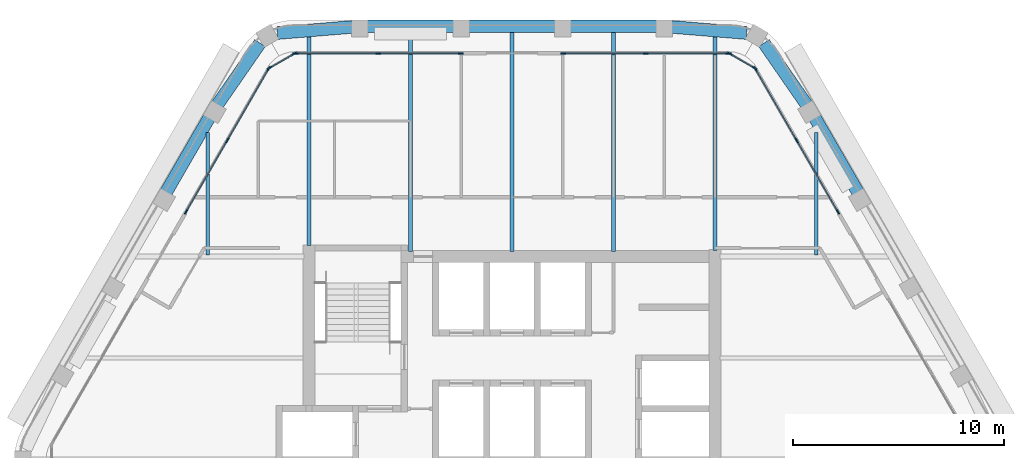
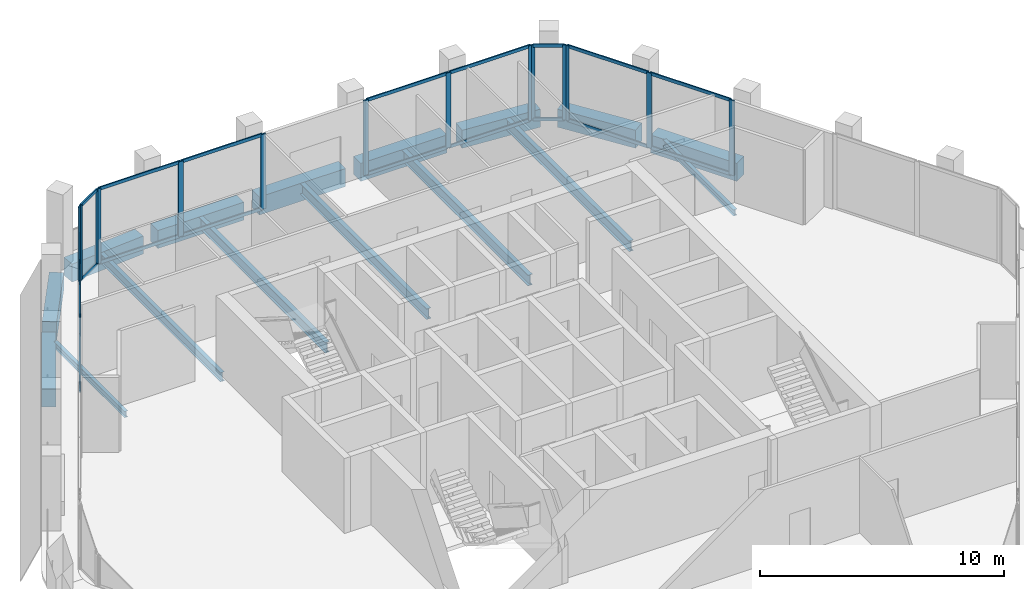
# One storey, part 5 of 13: 36 members, 16 beams, 6 elements without a shape of their own.
"""IFC4 building model written with IfcOpenShell, lengths in metres."""

from ifc_helpers import new_model, si_unit, direction, frame, origin, origin_2d, place, context, subcontext, project, spatial, rectangle, i_section, extrude, material, material_profile, profile_set, type_object, element, aggregate, save


model = new_model("IFC4")

# Units and contexts
model_context = context("Model", 3, precision=1e-05, world=origin(), true_north=direction((0.0, 1.0)))
body_context = subcontext(model_context, "Body", "Model", "MODEL_VIEW")
ifc_project = project(units=[si_unit("LENGTHUNIT", "METRE"), si_unit("AREAUNIT", "SQUARE_METRE"), si_unit("VOLUMEUNIT", "CUBIC_METRE"), si_unit("PLANEANGLEUNIT", "RADIAN"), si_unit("MASSUNIT", "GRAM", prefix="KILO")], contexts=[model_context])

# Site, building, storey
site_placement = place(None, origin())
site = spatial("IfcSite", under=ifc_project, at=site_placement, CompositionType="ELEMENT")
building_placement = place(site_placement, origin())
building = spatial("IfcBuilding", under=site, at=building_placement, Name="Kolab Exchange Tower", CompositionType="ELEMENT")
storey_placement = place(building_placement, frame((0.0, 0.0, 226.699951171875)))
storey = spatial("IfcBuildingStorey", under=building, at=storey_placement, Name="L49", CompositionType="ELEMENT", Elevation=226.699951171875)

# Beams
ifc_material_1 = material(Name="Steel S355", Category="steel")
ifc_material_profile_1 = material_profile(ifc_material_1, i_section(OverallWidth=0.1650390625, OverallDepth=0.31005859375, WebThickness=0.005859375, FlangeThickness=0.009765625, at=origin_2d()), Name="W310X39")
ifc_profile_set_1 = profile_set([ifc_material_profile_1], Name="Steel S355")
beam_type_1 = type_object("IfcBeamType", Name="FLOOR BEAM W310X39", PredefinedType="BEAM", material=ifc_profile_set_1)
for number, where, z_axis, x_axis, name in (
    (1, (-14.39990234375, 9.674072265625, -0.304931640625), (0.0, 1.0, 0.0), (-1.0, 0.0, 0.0), "beam/L49/fr/004"),
    (2, (14.39990234375, 9.674072265625, -0.304931640625), (0.0, 1.0, 0.0), (-1.0, 0.0, 0.0), "beam/L49/fr/019"),
):
    element("IfcBeam", number, at=place(storey_placement, frame(where, z_axis=z_axis, x_axis=x_axis)), inside=storey, type_object=beam_type_1, Name=name, PredefinedType="BEAM", context=body_context, shape_type="SweptSolid", body=[
        extrude(i_section(OverallWidth=0.1650390625, OverallDepth=0.31005859375, WebThickness=0.005859375, FlangeThickness=0.009765625, at=origin_2d()), origin(), (0.0, 0.0, 1.0), 5.793701171875),
    ])
ifc_material_profile_2 = material_profile(ifc_material_1, i_section(OverallWidth=0.18994140625, OverallDepth=0.45703125, WebThickness=0.009033203125, FlangeThickness=0.014404296875, at=origin_2d()), Name="W460X74")
ifc_profile_set_2 = profile_set([ifc_material_profile_2], Name="Steel S355")
beam_type_2 = type_object("IfcBeamType", Name="FLOOR BEAM W460X74", PredefinedType="BEAM", material=ifc_profile_set_2)
beam_1_placement = place(storey_placement, frame((-9.60009765625, 10.110107421875, -0.37841796875), z_axis=(0.0, 1.0, 0.0), x_axis=(-1.0, 0.0, 0.0)))
element("IfcBeam", 3, at=beam_1_placement, inside=storey, type_object=beam_type_2, Name="beam/L49/fr/006", PredefinedType="BEAM", context=body_context, shape_type="SweptSolid", body=[
    extrude(i_section(OverallWidth=0.18994140625, OverallDepth=0.45703125, WebThickness=0.009033203125, FlangeThickness=0.014404296875, at=origin_2d()), origin(), (0.0, 0.0, 1.0), 9.9169921875),
])
ifc_material_profile_3 = material_profile(ifc_material_1, i_section(OverallWidth=0.208984375, OverallDepth=0.532958984375, WebThickness=0.01025390625, FlangeThickness=0.015625, at=origin_2d()), Name="W530X92")
ifc_profile_set_3 = profile_set([ifc_material_profile_3], Name="Steel S355")
beam_type_3 = type_object("IfcBeamType", Name="FLOOR BEAM W530X92", PredefinedType="BEAM", material=ifc_profile_set_3)
for number, where, z_axis, x_axis, name in (
    (4, (-4.800048828125, 9.8349609375, -0.41650390625), (0.0, 1.0, 0.0), (-1.0, 0.0, 0.0), "beam/L49/fr/008"),
    (5, (0.0, 9.8349609375, -0.41650390625), (0.0, 1.0, 0.0), (-1.0, 0.0, 0.0), "beam/L49/fr/010"),
    (6, (4.800048828125, 9.8349609375, -0.41650390625), (0.0, 1.0, 0.0), (-1.0, 0.0, 0.0), "beam/L49/fr/012"),
):
    element("IfcBeam", number, at=place(storey_placement, frame(where, z_axis=z_axis, x_axis=x_axis)), inside=storey, type_object=beam_type_3, Name=name, PredefinedType="BEAM", context=body_context, shape_type="SweptSolid", body=[
        extrude(i_section(OverallWidth=0.208984375, OverallDepth=0.532958984375, WebThickness=0.01025390625, FlangeThickness=0.015625, at=origin_2d()), origin(), (0.0, 0.0, 1.0), 10.3896484375),
    ])
beam_2_placement = place(storey_placement, frame((9.60009765625, 9.885009765625, -0.41650390625), z_axis=(0.0, 1.0, 0.0), x_axis=(-1.0, 0.0, 0.0)))
element("IfcBeam", 7, at=beam_2_placement, inside=storey, type_object=beam_type_3, Name="beam/L49/fr/014", PredefinedType="BEAM", context=body_context, shape_type="SweptSolid", body=[
    extrude(i_section(OverallWidth=0.208984375, OverallDepth=0.532958984375, WebThickness=0.01025390625, FlangeThickness=0.015625, at=origin_2d()), origin(), (0.0, 0.0, 1.0), 10.14208984375),
])
ifc_material_2 = material(Name="Concrete C50/60", Category="concrete")
ifc_material_profile_4 = material_profile(ifc_material_2, rectangle(XDim=0.60009765625, YDim=0.89990234375, at=origin_2d()), Name="RC600X900")
ifc_profile_set_4 = profile_set([ifc_material_profile_4], Name="Concrete C50/60")
beam_type_4 = type_object("IfcBeamType", Name="SPANDREL BEAM 600X900 C50/60", PredefinedType="BEAM", material=ifc_profile_set_4)
beam_3_placement = place(storey_placement, frame((-11.09716796875, 20.16552734375, -0.599853515625), z_axis=(0.996666146873, 0.081587938307, 0.0), x_axis=(-0.081587938307, 0.996666146873, 0.0)))
element("IfcBeam", 8, at=beam_3_placement, inside=storey, type_object=beam_type_4, Name="beam/L49/sp/F1-01", PredefinedType="BEAM", context=body_context, shape_type="SweptSolid", body=[
    extrude(rectangle(XDim=0.60009765625, YDim=0.89990234375, at=origin_2d()), origin(), (0.0, 0.0, 1.0), 3.548828125),
])
for number, where, z_axis, x_axis, name in (
    (9, (-6.840087890625, 20.484619140625, -0.599853515625), (1.0, 0.0, 0.0), (0.0, 1.0, 0.0), "beam/L49/sp/F1-02"),
    (10, (-2.0400390625, 20.484619140625, -0.599853515625), (1.0, 0.0, 0.0), (0.0, 1.0, 0.0), "beam/L49/sp/F1-03"),
    (11, (2.760009765625, 20.484619140625, -0.599853515625), (1.0, 0.0, 0.0), (0.0, 1.0, 0.0), "beam/L49/sp/F1-04"),
):
    element("IfcBeam", number, at=place(storey_placement, frame(where, z_axis=z_axis, x_axis=x_axis)), inside=storey, type_object=beam_type_4, Name=name, PredefinedType="BEAM", context=body_context, shape_type="SweptSolid", body=[
        extrude(rectangle(XDim=0.60009765625, YDim=0.89990234375, at=origin_2d()), origin(), (0.0, 0.0, 1.0), 4.080078125),
    ])
for number, where, z_axis, x_axis, name in (
    (12, (7.56005859375, 20.455078125, -0.599853515625), (0.996666146873, -0.081587938307, 0.0), (0.081587938307, 0.996666146873, 0.0), "beam/L49/sp/F1-05"),
    (13, (11.915283203125, 19.693115234375, -0.599853515625), (0.569016782231, -0.822325909564, 0.0), (0.822325909564, 0.569016782231, 0.0), "beam/L49/sp/F2-01"),
):
    element("IfcBeam", number, at=place(storey_placement, frame(where, z_axis=z_axis, x_axis=x_axis)), inside=storey, type_object=beam_type_4, Name=name, PredefinedType="BEAM", context=body_context, shape_type="SweptSolid", body=[
        extrude(rectangle(XDim=0.60009765625, YDim=0.89990234375, at=origin_2d()), origin(), (0.0, 0.0, 1.0), 3.548828125),
    ])
for number, where, z_axis, x_axis, name in (
    (14, (14.3203125, 16.166015625, -0.599853515625), (0.499955548806, -0.866051066172, 0.0), (0.866051066172, 0.499955548806, 0.0), "beam/L49/sp/F2-02"),
    (15, (-16.360107421875, 12.632568359375, -0.599853515625), (0.499955548806, 0.866051066172, 0.0), (-0.866051066172, 0.499955548806, 0.0), "beam/L49/sp/F6-04"),
):
    element("IfcBeam", number, at=place(storey_placement, frame(where, z_axis=z_axis, x_axis=x_axis)), inside=storey, type_object=beam_type_4, Name=name, PredefinedType="BEAM", context=body_context, shape_type="SweptSolid", body=[
        extrude(rectangle(XDim=0.60009765625, YDim=0.89990234375, at=origin_2d()), origin(), (0.0, 0.0, 1.0), 4.079833984375),
    ])
beam_4_placement = place(storey_placement, frame((-13.9345703125, 16.77490234375, -0.599853515625), z_axis=(0.569016782231, 0.822325909564, 0.0), x_axis=(-0.822325909564, 0.569016782231, 0.0)))
element("IfcBeam", 16, at=beam_4_placement, inside=storey, type_object=beam_type_4, Name="beam/L49/sp/F6-05", PredefinedType="BEAM", context=body_context, shape_type="SweptSolid", body=[
    extrude(rectangle(XDim=0.60009765625, YDim=0.89990234375, at=origin_2d()), origin(), (0.0, 0.0, 1.0), 3.548828125),
])

# Curtain wall, members
ifc_material_3 = material(Name="Aluminium EN AW-6063 T6", Category="aluminium")
curtain_wall_type = type_object("IfcCurtainWallType", Name="UNITISED HIGH ZONE CURTAIN WALL", PredefinedType="NOTDEFINED", material=ifc_material_3)
curtain_wall_1_placement = place(storey_placement, origin())
curtain_wall_1 = element("IfcCurtainWall", 17, at=curtain_wall_1_placement, inside=storey, type_object=curtain_wall_type, Name="cw/L49/F1-1", PredefinedType="NOTDEFINED")
ifc_material_profile_5 = material_profile(ifc_material_3, rectangle(XDim=0.06005859375, YDim=0.239990234375, at=origin_2d()), Name="RECT 60X240")
ifc_profile_set_5 = profile_set([ifc_material_profile_5], Name="Aluminium EN AW-6063 T6")
member_type_1 = type_object("IfcMemberType", Name="UNITISED HIGH ZONE MULLION 60 X 240", PredefinedType="MULLION", material=ifc_profile_set_5)
member_1_placement = place(storey_placement, frame((-10.238037109375, 19.20458984375, 0.0), z_axis=(0.0, 0.0, 1.0), x_axis=(0.0, 1.0, 0.0)))
member_1 = element("IfcMember", 18, at=member_1_placement, type_object=member_type_1, Name="CW4 mullion 1", PredefinedType="MULLION", context=body_context, shape_type="SweptSolid", body=[
    extrude(rectangle(XDim=0.06005859375, YDim=0.239990234375, at=origin_2d()), origin(), (0.0, 0.0, 1.0), 3.75),
])
member_2_placement = place(storey_placement, frame((-6.333984375, 19.20458984375, 0.0), z_axis=(0.0, 0.0, 1.0), x_axis=(0.0, 1.0, 0.0)))
member_2 = element("IfcMember", 19, at=member_2_placement, type_object=member_type_1, Name="CW4 mullion 2", PredefinedType="MULLION", context=body_context, shape_type="SweptSolid", body=[
    extrude(rectangle(XDim=0.06005859375, YDim=0.239990234375, at=origin_2d()), origin(), (0.0, 0.0, 1.0), 3.75),
])
member_3_placement = place(storey_placement, frame((-2.429931640625, 19.20458984375, 0.0), z_axis=(0.0, 0.0, 1.0), x_axis=(0.0, 1.0, 0.0)))
member_3 = element("IfcMember", 20, at=member_3_placement, type_object=member_type_1, Name="CW4 mullion 3", PredefinedType="MULLION", context=body_context, shape_type="SweptSolid", body=[
    extrude(rectangle(XDim=0.06005859375, YDim=0.239990234375, at=origin_2d()), origin(), (0.0, 0.0, 1.0), 3.75),
])

curtain_wall_2_placement = place(storey_placement, origin())
curtain_wall_2 = element("IfcCurtainWall", 21, at=curtain_wall_2_placement, inside=storey, type_object=curtain_wall_type, Name="cw/L49/F1-2", PredefinedType="NOTDEFINED")
member_4_placement = place(storey_placement, frame((2.429931640625, 19.20458984375, 0.0), z_axis=(0.0, 0.0, 1.0), x_axis=(0.0, 1.0, 0.0)))
member_4 = element("IfcMember", 22, at=member_4_placement, type_object=member_type_1, Name="CW4 mullion 1", PredefinedType="MULLION", context=body_context, shape_type="SweptSolid", body=[
    extrude(rectangle(XDim=0.06005859375, YDim=0.239990234375, at=origin_2d()), origin(), (0.0, 0.0, 1.0), 3.75),
])
member_5_placement = place(storey_placement, frame((6.333984375, 19.20458984375, 0.0), z_axis=(0.0, 0.0, 1.0), x_axis=(0.0, 1.0, 0.0)))
member_5 = element("IfcMember", 23, at=member_5_placement, type_object=member_type_1, Name="CW4 mullion 2", PredefinedType="MULLION", context=body_context, shape_type="SweptSolid", body=[
    extrude(rectangle(XDim=0.06005859375, YDim=0.239990234375, at=origin_2d()), origin(), (0.0, 0.0, 1.0), 3.75),
])
member_6_placement = place(storey_placement, frame((10.238037109375, 19.20458984375, 0.0), z_axis=(0.0, 0.0, 1.0), x_axis=(0.0, 1.0, 0.0)))
member_6 = element("IfcMember", 24, at=member_6_placement, type_object=member_type_1, Name="CW4 mullion 3", PredefinedType="MULLION", context=body_context, shape_type="SweptSolid", body=[
    extrude(rectangle(XDim=0.06005859375, YDim=0.239990234375, at=origin_2d()), origin(), (0.0, 0.0, 1.0), 3.75),
])

curtain_wall_3_placement = place(storey_placement, origin())
curtain_wall_3 = element("IfcCurtainWall", 25, at=curtain_wall_3_placement, inside=storey, type_object=curtain_wall_type, Name="cw/L49/F2-1", PredefinedType="NOTDEFINED")
member_7_placement = place(storey_placement, frame((11.5126953125, 18.46875, 0.0), z_axis=(0.0, 0.0, 1.0), x_axis=(0.866025385493, 0.500000031681, 0.0)))
member_7 = element("IfcMember", 26, at=member_7_placement, type_object=member_type_1, Name="CW4 mullion 1", PredefinedType="MULLION", context=body_context, shape_type="SweptSolid", body=[
    extrude(rectangle(XDim=0.06005859375, YDim=0.239990234375, at=origin_2d()), origin(), (0.0, 0.0, 1.0), 3.75),
])
member_8_placement = place(storey_placement, frame((13.464599609375, 15.087646484375, 0.0), z_axis=(0.0, 0.0, 1.0), x_axis=(0.866025385493, 0.500000031681, 0.0)))
member_8 = element("IfcMember", 27, at=member_8_placement, type_object=member_type_1, Name="CW4 mullion 2", PredefinedType="MULLION", context=body_context, shape_type="SweptSolid", body=[
    extrude(rectangle(XDim=0.06005859375, YDim=0.239990234375, at=origin_2d()), origin(), (0.0, 0.0, 1.0), 3.75),
])
member_9_placement = place(storey_placement, frame((15.416748046875, 11.706787109375, 0.0), z_axis=(0.0, 0.0, 1.0), x_axis=(0.866025385493, 0.500000031681, 0.0)))
member_9 = element("IfcMember", 28, at=member_9_placement, type_object=member_type_1, Name="CW4 mullion 3", PredefinedType="MULLION", context=body_context, shape_type="SweptSolid", body=[
    extrude(rectangle(XDim=0.06005859375, YDim=0.239990234375, at=origin_2d()), origin(), (0.0, 0.0, 1.0), 3.75),
])

curtain_wall_4_placement = place(storey_placement, origin())
curtain_wall_4 = element("IfcCurtainWall", 29, at=curtain_wall_4_placement, inside=storey, type_object=curtain_wall_type, Name="cw/L49/F6-2", PredefinedType="NOTDEFINED")
member_10_placement = place(storey_placement, frame((-15.416748046875, 11.706787109375, 0.0), z_axis=(0.0, 0.0, 1.0), x_axis=(-0.866025385493, 0.500000031681, 0.0)))
member_10 = element("IfcMember", 30, at=member_10_placement, type_object=member_type_1, Name="CW4 mullion 1", PredefinedType="MULLION", context=body_context, shape_type="SweptSolid", body=[
    extrude(rectangle(XDim=0.06005859375, YDim=0.239990234375, at=origin_2d()), origin(), (0.0, 0.0, 1.0), 3.75),
])
member_11_placement = place(storey_placement, frame((-13.464599609375, 15.087646484375, 0.0), z_axis=(0.0, 0.0, 1.0), x_axis=(-0.866025385493, 0.500000031681, 0.0)))
member_11 = element("IfcMember", 31, at=member_11_placement, type_object=member_type_1, Name="CW4 mullion 2", PredefinedType="MULLION", context=body_context, shape_type="SweptSolid", body=[
    extrude(rectangle(XDim=0.06005859375, YDim=0.239990234375, at=origin_2d()), origin(), (0.0, 0.0, 1.0), 3.75),
])
member_12_placement = place(storey_placement, frame((-11.5126953125, 18.46875, 0.0), z_axis=(0.0, 0.0, 1.0), x_axis=(-0.866025385493, 0.500000031681, 0.0)))
member_12 = element("IfcMember", 32, at=member_12_placement, type_object=member_type_1, Name="CW4 mullion 3", PredefinedType="MULLION", context=body_context, shape_type="SweptSolid", body=[
    extrude(rectangle(XDim=0.06005859375, YDim=0.239990234375, at=origin_2d()), origin(), (0.0, 0.0, 1.0), 3.75),
])

curtain_wall_5_placement = place(storey_placement, origin())
curtain_wall_5 = element("IfcCurtainWall", 33, at=curtain_wall_5_placement, inside=storey, type_object=curtain_wall_type, Name="cw/L49/F1F2-corner", PredefinedType="NOTDEFINED")
member_13_placement = place(storey_placement, frame((10.2939453125, 19.189697265625, 0.0), z_axis=(0.0, 0.0, 1.0), x_axis=(0.50000002237, 0.866025390869, 0.0)))
member_13 = element("IfcMember", 34, at=member_13_placement, type_object=member_type_1, Name="CW4 mullion 1", PredefinedType="MULLION", context=body_context, shape_type="SweptSolid", body=[
    extrude(rectangle(XDim=0.06005859375, YDim=0.239990234375, at=origin_2d()), origin(), (0.0, 0.0, 1.0), 3.75),
])
member_14_placement = place(storey_placement, frame((11.4716796875, 18.509521484375, 0.0), z_axis=(0.0, 0.0, 1.0), x_axis=(0.50000002237, 0.866025390869, 0.0)))
member_14 = element("IfcMember", 35, at=member_14_placement, type_object=member_type_1, Name="CW4 mullion 2", PredefinedType="MULLION", context=body_context, shape_type="SweptSolid", body=[
    extrude(rectangle(XDim=0.06005859375, YDim=0.239990234375, at=origin_2d()), origin(), (0.0, 0.0, 1.0), 3.75),
])

curtain_wall_6_placement = place(storey_placement, origin())
curtain_wall_6 = element("IfcCurtainWall", 36, at=curtain_wall_6_placement, inside=storey, type_object=curtain_wall_type, Name="cw/L49/F6F1-corner", PredefinedType="NOTDEFINED")
member_15_placement = place(storey_placement, frame((-11.4716796875, 18.509521484375, 0.0), z_axis=(0.0, 0.0, 1.0), x_axis=(-0.50000002237, 0.866025390869, 0.0)))
member_15 = element("IfcMember", 37, at=member_15_placement, type_object=member_type_1, Name="CW4 mullion 1", PredefinedType="MULLION", context=body_context, shape_type="SweptSolid", body=[
    extrude(rectangle(XDim=0.06005859375, YDim=0.239990234375, at=origin_2d()), origin(), (0.0, 0.0, 1.0), 3.75),
])
member_16_placement = place(storey_placement, frame((-10.2939453125, 19.189697265625, 0.0), z_axis=(0.0, 0.0, 1.0), x_axis=(-0.50000002237, 0.866025390869, 0.0)))
member_16 = element("IfcMember", 38, at=member_16_placement, type_object=member_type_1, Name="CW4 mullion 2", PredefinedType="MULLION", context=body_context, shape_type="SweptSolid", body=[
    extrude(rectangle(XDim=0.06005859375, YDim=0.239990234375, at=origin_2d()), origin(), (0.0, 0.0, 1.0), 3.75),
])

# Member
ifc_material_profile_6 = material_profile(ifc_material_3, rectangle(XDim=0.06005859375, YDim=0.159912109375, at=origin_2d()), Name="RECT 60X160")
ifc_profile_set_6 = profile_set([ifc_material_profile_6], Name="Aluminium EN AW-6063 T6")
member_type_2 = type_object("IfcMemberType", Name="UNITISED HIGH ZONE TRANSOM 60 X 160", PredefinedType="USERDEFINED", material=ifc_profile_set_6)
member_17_placement = place(storey_placement, frame((-10.2080078125, 19.20458984375, 0.030029296875), z_axis=(1.0, 0.0, 0.0), x_axis=(0.0, 1.0, 0.0)))
member_17 = element("IfcMember", 39, at=member_17_placement, type_object=member_type_2, Name="CW4 transom 1.1", ObjectType="TRANSOM", PredefinedType="USERDEFINED", context=body_context, shape_type="SweptSolid", body=[
    extrude(rectangle(XDim=0.06005859375, YDim=0.159912109375, at=origin_2d()), origin(), (0.0, 0.0, 1.0), 3.843994140625),
])

member_18_placement = place(storey_placement, frame((-10.2080078125, 19.20458984375, 3.719970703125), z_axis=(1.0, 0.0, 0.0), x_axis=(0.0, 1.0, 0.0)))
member_18 = element("IfcMember", 40, at=member_18_placement, type_object=member_type_2, Name="CW4 transom 1.2", ObjectType="TRANSOM", PredefinedType="USERDEFINED", context=body_context, shape_type="SweptSolid", body=[
    extrude(rectangle(XDim=0.06005859375, YDim=0.159912109375, at=origin_2d()), origin(), (0.0, 0.0, 1.0), 3.843994140625),
])

member_19_placement = place(storey_placement, frame((-6.303955078125, 19.20458984375, 0.030029296875), z_axis=(1.0, 0.0, 0.0), x_axis=(0.0, 1.0, 0.0)))
member_19 = element("IfcMember", 41, at=member_19_placement, type_object=member_type_2, Name="CW4 transom 2.1", ObjectType="TRANSOM", PredefinedType="USERDEFINED", context=body_context, shape_type="SweptSolid", body=[
    extrude(rectangle(XDim=0.06005859375, YDim=0.159912109375, at=origin_2d()), origin(), (0.0, 0.0, 1.0), 3.843994140625),
])

member_20_placement = place(storey_placement, frame((-6.303955078125, 19.20458984375, 3.719970703125), z_axis=(1.0, 0.0, 0.0), x_axis=(0.0, 1.0, 0.0)))
member_20 = element("IfcMember", 42, at=member_20_placement, type_object=member_type_2, Name="CW4 transom 2.2", ObjectType="TRANSOM", PredefinedType="USERDEFINED", context=body_context, shape_type="SweptSolid", body=[
    extrude(rectangle(XDim=0.06005859375, YDim=0.159912109375, at=origin_2d()), origin(), (0.0, 0.0, 1.0), 3.843994140625),
])

aggregate(curtain_wall_1, [member_1, member_2, member_3, member_17, member_18, member_19, member_20])

member_21_placement = place(storey_placement, frame((2.4599609375, 19.20458984375, 0.030029296875), z_axis=(1.0, 0.0, 0.0), x_axis=(0.0, 1.0, 0.0)))
member_21 = element("IfcMember", 43, at=member_21_placement, type_object=member_type_2, Name="CW4 transom 1.1", ObjectType="TRANSOM", PredefinedType="USERDEFINED", context=body_context, shape_type="SweptSolid", body=[
    extrude(rectangle(XDim=0.06005859375, YDim=0.159912109375, at=origin_2d()), origin(), (0.0, 0.0, 1.0), 3.843994140625),
])

member_22_placement = place(storey_placement, frame((2.4599609375, 19.20458984375, 3.719970703125), z_axis=(1.0, 0.0, 0.0), x_axis=(0.0, 1.0, 0.0)))
member_22 = element("IfcMember", 44, at=member_22_placement, type_object=member_type_2, Name="CW4 transom 1.2", ObjectType="TRANSOM", PredefinedType="USERDEFINED", context=body_context, shape_type="SweptSolid", body=[
    extrude(rectangle(XDim=0.06005859375, YDim=0.159912109375, at=origin_2d()), origin(), (0.0, 0.0, 1.0), 3.843994140625),
])

member_23_placement = place(storey_placement, frame((6.364013671875, 19.20458984375, 0.030029296875), z_axis=(1.0, 0.0, 0.0), x_axis=(0.0, 1.0, 0.0)))
member_23 = element("IfcMember", 45, at=member_23_placement, type_object=member_type_2, Name="CW4 transom 2.1", ObjectType="TRANSOM", PredefinedType="USERDEFINED", context=body_context, shape_type="SweptSolid", body=[
    extrude(rectangle(XDim=0.06005859375, YDim=0.159912109375, at=origin_2d()), origin(), (0.0, 0.0, 1.0), 3.843994140625),
])

member_24_placement = place(storey_placement, frame((6.364013671875, 19.20458984375, 3.719970703125), z_axis=(1.0, 0.0, 0.0), x_axis=(0.0, 1.0, 0.0)))
member_24 = element("IfcMember", 46, at=member_24_placement, type_object=member_type_2, Name="CW4 transom 2.2", ObjectType="TRANSOM", PredefinedType="USERDEFINED", context=body_context, shape_type="SweptSolid", body=[
    extrude(rectangle(XDim=0.06005859375, YDim=0.159912109375, at=origin_2d()), origin(), (0.0, 0.0, 1.0), 3.843994140625),
])

aggregate(curtain_wall_2, [member_4, member_5, member_6, member_21, member_22, member_23, member_24])

member_25_placement = place(storey_placement, frame((11.527587890625, 18.442626953125, 0.030029296875), z_axis=(0.500039492609, -0.866002601515, 0.0), x_axis=(0.866002601515, 0.500039492609, 0.0)))
member_25 = element("IfcMember", 47, at=member_25_placement, type_object=member_type_2, Name="CW4 transom 1.1", ObjectType="TRANSOM", PredefinedType="USERDEFINED", context=body_context, shape_type="SweptSolid", body=[
    extrude(rectangle(XDim=0.06005859375, YDim=0.159912109375, at=origin_2d()), origin(), (0.0, 0.0, 1.0), 3.843994140625),
])

member_26_placement = place(storey_placement, frame((11.527587890625, 18.442626953125, 3.719970703125), z_axis=(0.500039492609, -0.866002601515, 0.0), x_axis=(0.866002601515, 0.500039492609, 0.0)))
member_26 = element("IfcMember", 48, at=member_26_placement, type_object=member_type_2, Name="CW4 transom 1.2", ObjectType="TRANSOM", PredefinedType="USERDEFINED", context=body_context, shape_type="SweptSolid", body=[
    extrude(rectangle(XDim=0.06005859375, YDim=0.159912109375, at=origin_2d()), origin(), (0.0, 0.0, 1.0), 3.843994140625),
])

member_27_placement = place(storey_placement, frame((13.479736328125, 15.061767578125, 0.030029296875), z_axis=(0.499964356602, -0.866045981532, 0.0), x_axis=(0.866045981532, 0.499964356602, 0.0)))
member_27 = element("IfcMember", 49, at=member_27_placement, type_object=member_type_2, Name="CW4 transom 2.1", ObjectType="TRANSOM", PredefinedType="USERDEFINED", context=body_context, shape_type="SweptSolid", body=[
    extrude(rectangle(XDim=0.06005859375, YDim=0.159912109375, at=origin_2d()), origin(), (0.0, 0.0, 1.0), 3.843994140625),
])

member_28_placement = place(storey_placement, frame((13.479736328125, 15.061767578125, 3.719970703125), z_axis=(0.499964356602, -0.866045981532, 0.0), x_axis=(0.866045981532, 0.499964356602, 0.0)))
member_28 = element("IfcMember", 50, at=member_28_placement, type_object=member_type_2, Name="CW4 transom 2.2", ObjectType="TRANSOM", PredefinedType="USERDEFINED", context=body_context, shape_type="SweptSolid", body=[
    extrude(rectangle(XDim=0.06005859375, YDim=0.159912109375, at=origin_2d()), origin(), (0.0, 0.0, 1.0), 3.843994140625),
])

aggregate(curtain_wall_3, [member_7, member_8, member_9, member_25, member_26, member_27, member_28])

member_29_placement = place(storey_placement, frame((-15.401611328125, 11.732666015625, 0.030029296875), z_axis=(0.499964356602, 0.866045981532, 0.0), x_axis=(-0.866045981532, 0.499964356602, 0.0)))
member_29 = element("IfcMember", 51, at=member_29_placement, type_object=member_type_2, Name="CW4 transom 1.1", ObjectType="TRANSOM", PredefinedType="USERDEFINED", context=body_context, shape_type="SweptSolid", body=[
    extrude(rectangle(XDim=0.06005859375, YDim=0.159912109375, at=origin_2d()), origin(), (0.0, 0.0, 1.0), 3.843994140625),
])

member_30_placement = place(storey_placement, frame((-15.401611328125, 11.732666015625, 3.719970703125), z_axis=(0.499964356602, 0.866045981532, 0.0), x_axis=(-0.866045981532, 0.499964356602, 0.0)))
member_30 = element("IfcMember", 52, at=member_30_placement, type_object=member_type_2, Name="CW4 transom 1.2", ObjectType="TRANSOM", PredefinedType="USERDEFINED", context=body_context, shape_type="SweptSolid", body=[
    extrude(rectangle(XDim=0.06005859375, YDim=0.159912109375, at=origin_2d()), origin(), (0.0, 0.0, 1.0), 3.843994140625),
])

member_31_placement = place(storey_placement, frame((-13.44970703125, 15.11376953125, 0.030029296875), z_axis=(0.500039492609, 0.866002601515, 0.0), x_axis=(-0.866002601515, 0.500039492609, 0.0)))
member_31 = element("IfcMember", 53, at=member_31_placement, type_object=member_type_2, Name="CW4 transom 2.1", ObjectType="TRANSOM", PredefinedType="USERDEFINED", context=body_context, shape_type="SweptSolid", body=[
    extrude(rectangle(XDim=0.06005859375, YDim=0.159912109375, at=origin_2d()), origin(), (0.0, 0.0, 1.0), 3.843994140625),
])

member_32_placement = place(storey_placement, frame((-13.44970703125, 15.11376953125, 3.719970703125), z_axis=(0.500039492609, 0.866002601515, 0.0), x_axis=(-0.866002601515, 0.500039492609, 0.0)))
member_32 = element("IfcMember", 54, at=member_32_placement, type_object=member_type_2, Name="CW4 transom 2.2", ObjectType="TRANSOM", PredefinedType="USERDEFINED", context=body_context, shape_type="SweptSolid", body=[
    extrude(rectangle(XDim=0.06005859375, YDim=0.159912109375, at=origin_2d()), origin(), (0.0, 0.0, 1.0), 3.843994140625),
])

aggregate(curtain_wall_4, [member_10, member_11, member_12, member_29, member_30, member_31, member_32])

member_33_placement = place(storey_placement, frame((10.31982421875, 19.174560546875, 0.030029296875), z_axis=(0.866085525409, -0.49989585183, 0.0), x_axis=(0.49989585183, 0.866085525409, 0.0)))
member_33 = element("IfcMember", 55, at=member_33_placement, type_object=member_type_2, Name="CW4 transom 1.1", ObjectType="TRANSOM", PredefinedType="USERDEFINED", context=body_context, shape_type="SweptSolid", body=[
    extrude(rectangle(XDim=0.06005859375, YDim=0.159912109375, at=origin_2d()), origin(), (0.0, 0.0, 1.0), 1.300048828125),
])

member_34_placement = place(storey_placement, frame((10.31982421875, 19.174560546875, 3.719970703125), z_axis=(0.866085525409, -0.49989585183, 0.0), x_axis=(0.49989585183, 0.866085525409, 0.0)))
member_34 = element("IfcMember", 56, at=member_34_placement, type_object=member_type_2, Name="CW4 transom 1.2", ObjectType="TRANSOM", PredefinedType="USERDEFINED", context=body_context, shape_type="SweptSolid", body=[
    extrude(rectangle(XDim=0.06005859375, YDim=0.159912109375, at=origin_2d()), origin(), (0.0, 0.0, 1.0), 1.300048828125),
])

aggregate(curtain_wall_5, [member_13, member_14, member_33, member_34])

member_35_placement = place(storey_placement, frame((-11.44580078125, 18.524658203125, 0.030029296875), z_axis=(0.866085525409, 0.49989585183, 0.0), x_axis=(-0.49989585183, 0.866085525409, 0.0)))
member_35 = element("IfcMember", 57, at=member_35_placement, type_object=member_type_2, Name="CW4 transom 1.1", ObjectType="TRANSOM", PredefinedType="USERDEFINED", context=body_context, shape_type="SweptSolid", body=[
    extrude(rectangle(XDim=0.06005859375, YDim=0.159912109375, at=origin_2d()), origin(), (0.0, 0.0, 1.0), 1.300048828125),
])

member_36_placement = place(storey_placement, frame((-11.44580078125, 18.524658203125, 3.719970703125), z_axis=(0.866085525409, 0.49989585183, 0.0), x_axis=(-0.49989585183, 0.866085525409, 0.0)))
member_36 = element("IfcMember", 58, at=member_36_placement, type_object=member_type_2, Name="CW4 transom 1.2", ObjectType="TRANSOM", PredefinedType="USERDEFINED", context=body_context, shape_type="SweptSolid", body=[
    extrude(rectangle(XDim=0.06005859375, YDim=0.159912109375, at=origin_2d()), origin(), (0.0, 0.0, 1.0), 1.300048828125),
])

aggregate(curtain_wall_6, [member_15, member_16, member_35, member_36])

save(model, "model.ifc")
